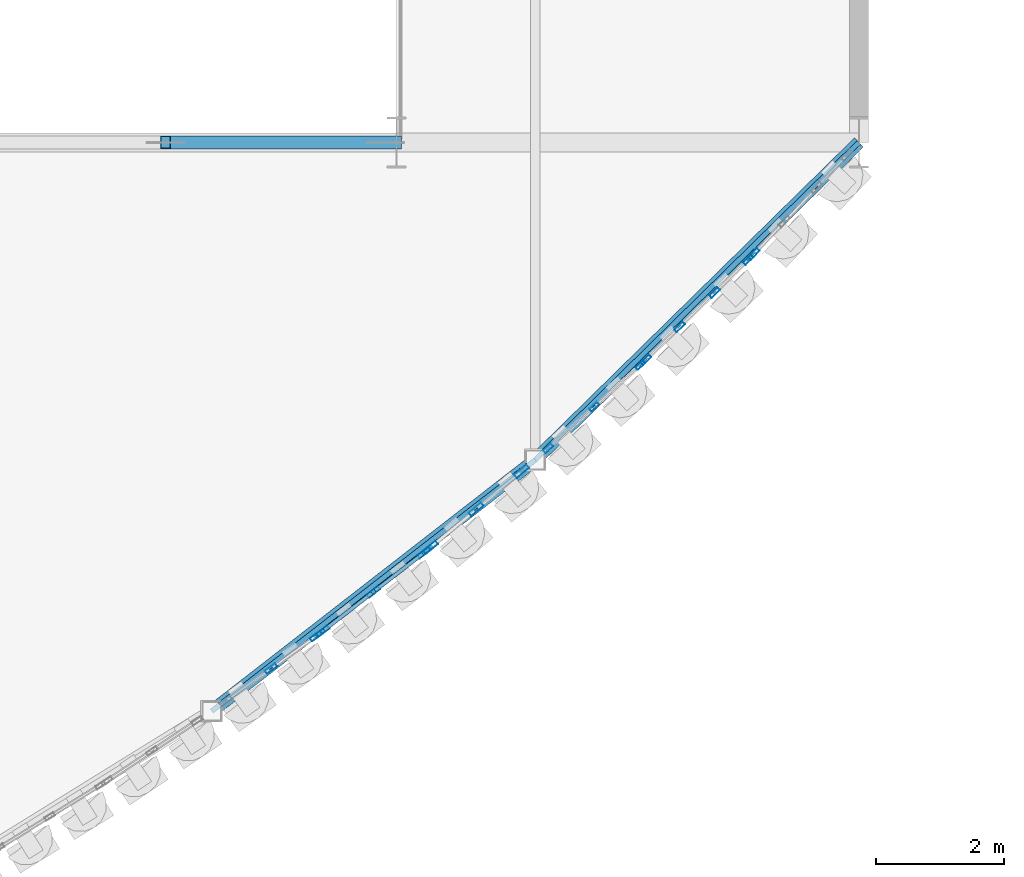
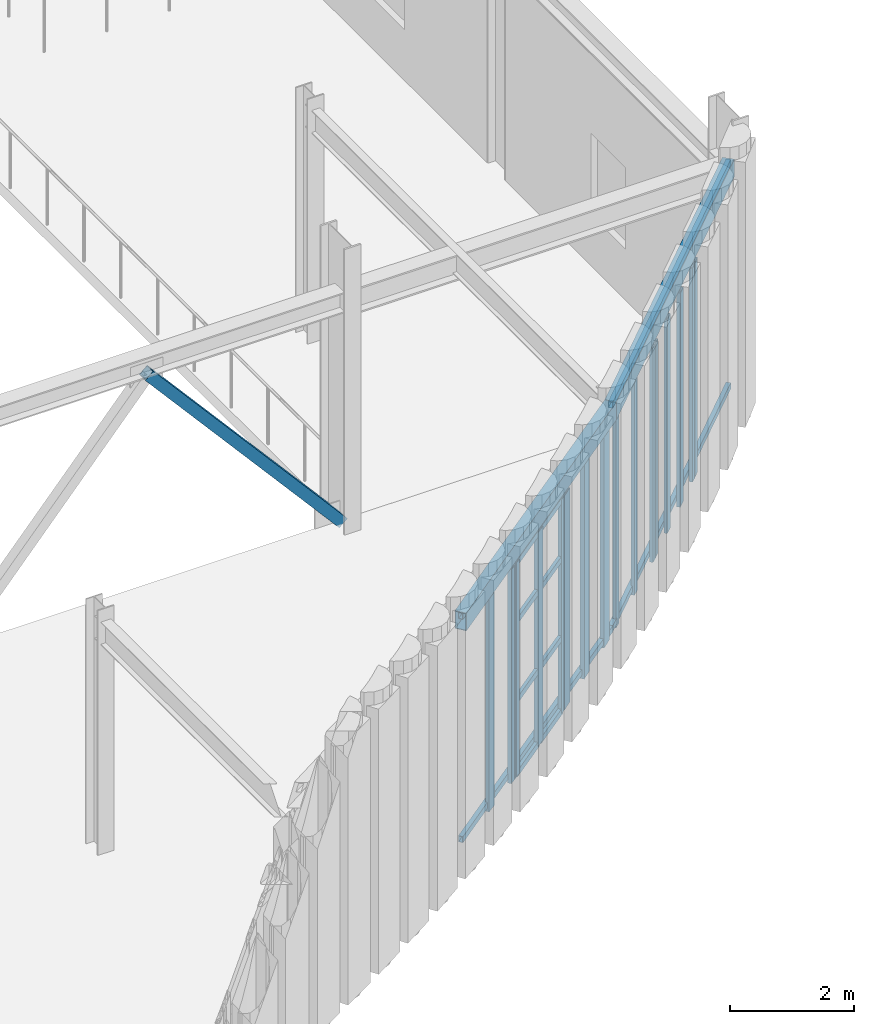
# One storey, part 59 of 126: 29 members, 2 beams, 6 elements without a shape of their own.
"""IFC4 building model written with IfcOpenShell, lengths in metres."""

from ifc_helpers import new_model, si_unit, direction, frame, origin, origin_2d, place, context, subcontext, project, spatial, hollow_rectangle, extrude, material, layer, layer_set, material_profile, profile_set, type_object, element, aggregate, save


model = new_model("IFC4")

# Units and contexts
model_context = context("Model", 3, precision=1e-05, world=origin(), true_north=direction((0.0, 1.0)))
body_context = subcontext(model_context, "Body", "Model", "MODEL_VIEW")
ifc_project = project(units=[si_unit("LENGTHUNIT", "METRE"), si_unit("AREAUNIT", "SQUARE_METRE"), si_unit("VOLUMEUNIT", "CUBIC_METRE"), si_unit("PLANEANGLEUNIT", "RADIAN"), si_unit("MASSUNIT", "GRAM", prefix="KILO")], contexts=[model_context])

# Site, building, storey
site_placement = place(None, origin())
site = spatial("IfcSite", under=ifc_project, at=site_placement, CompositionType="ELEMENT")
building_placement = place(site_placement, origin())
building = spatial("IfcBuilding", under=site, at=building_placement, Name="Solvadek Multi-Sports Hall", CompositionType="ELEMENT")
storey_placement = place(building_placement, frame((0.0, 0.0, 9.60009765625)))
storey = spatial("IfcBuildingStorey", under=building, at=storey_placement, Name="L02", CompositionType="ELEMENT", Elevation=9.60009765625)

# Curtain wall, members
ifc_material_1 = material(Name="Anodised aluminium", Category="aluminium")
ifc_layer_1 = layer(ifc_material_1, 0.159912109375, Name="Anodised aluminium")
ifc_layer_set_1 = layer_set([ifc_layer_1], Name="Anodised aluminium")
curtain_wall_type_1 = type_object("IfcCurtainWallType", Name="ENV-CW-199X420", PredefinedType="USERDEFINED", material=ifc_layer_set_1)
curtain_wall_1_placement = place(storey_placement, origin())
curtain_wall_1 = element("IfcCurtainWall", 1, at=curtain_wall_1_placement, inside=storey, type_object=curtain_wall_type_1, Name="L02 Crescent Curved Curtain Wall #110", ObjectType="CURTAIN WALL", PredefinedType="USERDEFINED")
ifc_material_profile_1 = material_profile(ifc_material_1, hollow_rectangle(XDim=0.06005859375, YDim=0.159912109375, WallThickness=0.00390625, at=origin_2d()), Name="ALU-M 160x60x4")
ifc_profile_set_1 = profile_set([ifc_material_profile_1], Name="Anodised aluminium")
member_type_1 = type_object("IfcMemberType", Name="ENV-CWM-01", PredefinedType="MULLION", material=ifc_profile_set_1)
member_1_placement = place(storey_placement, frame((131.96044921875, 1.2373046875, 0.0), z_axis=(0.0, 0.0, 1.0), x_axis=(-0.670227444536, 0.742155760329, 0.0)))
member_1 = element("IfcMember", 2, at=member_1_placement, type_object=member_type_1, Name="CW-35 mullion 1", PredefinedType="MULLION", context=body_context, shape_type="SweptSolid", body=[
    extrude(hollow_rectangle(XDim=0.06005859375, YDim=0.159912109375, WallThickness=0.00390625, at=origin_2d()), origin(), (0.0, 0.0, 1.0), 4.199951171875),
])
member_2_placement = place(storey_placement, frame((132.677978515625, 1.88525390625, 0.0), z_axis=(0.0, 0.0, 1.0), x_axis=(-0.670227444536, 0.742155760329, 0.0)))
member_2 = element("IfcMember", 3, at=member_2_placement, type_object=member_type_1, Name="CW-35 mullion 2", PredefinedType="MULLION", context=body_context, shape_type="SweptSolid", body=[
    extrude(hollow_rectangle(XDim=0.06005859375, YDim=0.159912109375, WallThickness=0.00390625, at=origin_2d()), origin(), (0.0, 0.0, 1.0), 4.199951171875),
])
member_3_placement = place(storey_placement, frame((133.3955078125, 2.533203125, 0.0), z_axis=(0.0, 0.0, 1.0), x_axis=(-0.670227444536, 0.742155760329, 0.0)))
member_3 = element("IfcMember", 4, at=member_3_placement, type_object=member_type_1, Name="CW-35 mullion 3", PredefinedType="MULLION", context=body_context, shape_type="SweptSolid", body=[
    extrude(hollow_rectangle(XDim=0.06005859375, YDim=0.159912109375, WallThickness=0.00390625, at=origin_2d()), origin(), (0.0, 0.0, 1.0), 4.199951171875),
])
aggregate(curtain_wall_1, [member_1, member_2, member_3])

ifc_layer_2 = layer(ifc_material_1, 0.159912109375, Name="Anodised aluminium")
ifc_layer_set_2 = layer_set([ifc_layer_2], Name="Anodised aluminium")
curtain_wall_type_2 = type_object("IfcCurtainWallType", Name="ENV-CW-229X420", PredefinedType="USERDEFINED", material=ifc_layer_set_2)
curtain_wall_2_placement = place(storey_placement, origin())
curtain_wall_2 = element("IfcCurtainWall", 5, at=curtain_wall_2_placement, inside=storey, type_object=curtain_wall_type_2, Name="L02 Crescent Curved Curtain Wall #112", ObjectType="CURTAIN WALL", PredefinedType="USERDEFINED")
ifc_material_profile_2 = material_profile(ifc_material_1, hollow_rectangle(XDim=0.06005859375, YDim=0.179931640625, WallThickness=0.00390625, at=origin_2d()), Name="ALU-M 180x60x4")
ifc_profile_set_2 = profile_set([ifc_material_profile_2], Name="Anodised aluminium")
member_type_2 = type_object("IfcMemberType", Name="ENV-CWM-02", PredefinedType="MULLION", material=ifc_profile_set_2)
member_4_placement = place(storey_placement, frame((133.48291015625, 2.615478515625, 0.0), z_axis=(0.0, 0.0, 1.0), x_axis=(-0.699091334366, 0.715032381235, 0.0)))
member_4 = element("IfcMember", 6, at=member_4_placement, type_object=member_type_2, Name="CW-36 mullion 1", PredefinedType="MULLION", context=body_context, shape_type="SweptSolid", body=[
    extrude(hollow_rectangle(XDim=0.06005859375, YDim=0.179931640625, WallThickness=0.00390625, at=origin_2d()), origin(), (0.0, 0.0, 1.0), 4.199951171875),
])
member_5_placement = place(storey_placement, frame((134.007080078125, 3.1279296875, 0.0), z_axis=(0.0, 0.0, 1.0), x_axis=(-0.699091334366, 0.715032381235, 0.0)))
member_5 = element("IfcMember", 7, at=member_5_placement, type_object=member_type_2, Name="CW-36 mullion 2", PredefinedType="MULLION", context=body_context, shape_type="SweptSolid", body=[
    extrude(hollow_rectangle(XDim=0.06005859375, YDim=0.179931640625, WallThickness=0.00390625, at=origin_2d()), origin(), (0.0, 0.0, 1.0), 4.199951171875),
])
member_6_placement = place(storey_placement, frame((134.552978515625, 3.66162109375, 0.0), z_axis=(0.0, 0.0, 1.0), x_axis=(-0.699091334366, 0.715032381235, 0.0)))
member_6 = element("IfcMember", 8, at=member_6_placement, type_object=member_type_2, Name="CW-36 mullion 3", PredefinedType="MULLION", context=body_context, shape_type="SweptSolid", body=[
    extrude(hollow_rectangle(XDim=0.06005859375, YDim=0.179931640625, WallThickness=0.00390625, at=origin_2d()), origin(), (0.0, 0.0, 1.0), 4.199951171875),
])
member_7_placement = place(storey_placement, frame((135.0771484375, 4.174072265625, 0.0), z_axis=(0.0, 0.0, 1.0), x_axis=(-0.699091334366, 0.715032381235, 0.0)))
member_7 = element("IfcMember", 9, at=member_7_placement, type_object=member_type_2, Name="CW-36 mullion 4", PredefinedType="MULLION", context=body_context, shape_type="SweptSolid", body=[
    extrude(hollow_rectangle(XDim=0.06005859375, YDim=0.179931640625, WallThickness=0.00390625, at=origin_2d()), origin(), (0.0, 0.0, 1.0), 4.199951171875),
])
aggregate(curtain_wall_2, [member_4, member_5, member_6, member_7])

ifc_layer_3 = layer(ifc_material_1, 0.159912109375, Name="Anodised aluminium")
ifc_layer_set_3 = layer_set([ifc_layer_3], Name="Anodised aluminium")
curtain_wall_type_3 = type_object("IfcCurtainWallType", Name="ENV-CW-180X420", PredefinedType="USERDEFINED", material=ifc_layer_set_3)
curtain_wall_3_placement = place(storey_placement, origin())
curtain_wall_3 = element("IfcCurtainWall", 10, at=curtain_wall_3_placement, inside=storey, type_object=curtain_wall_type_3, Name="L02 Crescent Curved Curtain Wall #104", ObjectType="CURTAIN WALL", PredefinedType="USERDEFINED")
ifc_material_profile_3 = material_profile(ifc_material_1, hollow_rectangle(XDim=0.06494140625, YDim=0.199951171875, WallThickness=0.0048828125, at=origin_2d()), Name="ALU-M 200x65x5")
ifc_profile_set_3 = profile_set([ifc_material_profile_3], Name="Anodised aluminium")
member_type_3 = type_object("IfcMemberType", Name="ENV-CWM-03", PredefinedType="MULLION", material=ifc_profile_set_3)
member_8_placement = place(storey_placement, frame((127.645263671875, -2.192138671875, 0.0), z_axis=(0.0, 0.0, 1.0), x_axis=(-0.583570751005, 0.812062299686, 0.0)))
member_8 = element("IfcMember", 11, at=member_8_placement, type_object=member_type_3, Name="CW-33 mullion 2", PredefinedType="MULLION", context=body_context, shape_type="SweptSolid", body=[
    extrude(hollow_rectangle(XDim=0.06494140625, YDim=0.199951171875, WallThickness=0.0048828125, at=origin_2d()), origin(), (0.0, 0.0, 1.0), 4.199951171875),
])
member_9_placement = place(storey_placement, frame((128.34912109375, -1.686279296875, 0.0), z_axis=(0.0, 0.0, 1.0), x_axis=(-0.583570751005, 0.812062299686, 0.0)))
member_9 = element("IfcMember", 12, at=member_9_placement, type_object=member_type_3, Name="CW-33 mullion 3", PredefinedType="MULLION", context=body_context, shape_type="SweptSolid", body=[
    extrude(hollow_rectangle(XDim=0.06494140625, YDim=0.199951171875, WallThickness=0.0048828125, at=origin_2d()), origin(), (0.0, 0.0, 1.0), 4.199951171875),
])
aggregate(curtain_wall_3, [member_8, member_9])

# Curtain wall, member
ifc_layer_4 = layer(ifc_material_1, 0.159912109375, Name="Anodised aluminium")
ifc_layer_set_4 = layer_set([ifc_layer_4], Name="Anodised aluminium")
curtain_wall_type_4 = type_object("IfcCurtainWallType", Name="ENV-CW-218X420", PredefinedType="USERDEFINED", material=ifc_layer_set_4)
curtain_wall_4_placement = place(storey_placement, origin())
curtain_wall_4 = element("IfcCurtainWall", 13, at=curtain_wall_4_placement, inside=storey, type_object=curtain_wall_type_4, Name="L02 Crescent Curved Curtain Wall #114", ObjectType="CURTAIN WALL", PredefinedType="USERDEFINED")
member_10_placement = place(storey_placement, frame((135.162841796875, 4.261474609375, 0.0), z_axis=(0.0, 0.0, 1.0), x_axis=(-0.727999350669, 0.685577818651, 0.0)))
member_10 = element("IfcMember", 14, at=member_10_placement, type_object=member_type_3, Name="CW-37 mullion 1", PredefinedType="MULLION", context=body_context, shape_type="SweptSolid", body=[
    extrude(hollow_rectangle(XDim=0.06494140625, YDim=0.199951171875, WallThickness=0.0048828125, at=origin_2d()), origin(), (0.0, 0.0, 1.0), 4.199951171875),
])
aggregate(curtain_wall_4, [member_10])

# Curtain wall, members
ifc_layer_5 = layer(ifc_material_1, 0.159912109375, Name="Anodised aluminium")
ifc_layer_set_5 = layer_set([ifc_layer_5], Name="Anodised aluminium")
curtain_wall_type_5 = type_object("IfcCurtainWallType", Name="ENV-CW-207X420", PredefinedType="USERDEFINED", material=ifc_layer_set_5)
curtain_wall_5_placement = place(storey_placement, origin())
curtain_wall_5 = element("IfcCurtainWall", 15, at=curtain_wall_5_placement, inside=storey, type_object=curtain_wall_type_5, Name="L02 Crescent Curved Curtain Wall #106", ObjectType="CURTAIN WALL", PredefinedType="USERDEFINED")
ifc_material_profile_4 = material_profile(ifc_material_1, hollow_rectangle(XDim=0.06494140625, YDim=0.219970703125, WallThickness=0.0048828125, at=origin_2d()), Name="ALU-M 220x65x5")
ifc_profile_set_4 = profile_set([ifc_material_profile_4], Name="Anodised aluminium")
member_type_4 = type_object("IfcMemberType", Name="ENV-CWM-04", PredefinedType="MULLION", material=ifc_profile_set_4)
member_11_placement = place(storey_placement, frame((128.449462890625, -1.611572265625, 0.0), z_axis=(0.0, 0.0, 1.0), x_axis=(-0.612461245063, 0.79050061562, 0.0)))
member_11 = element("IfcMember", 16, at=member_11_placement, type_object=member_type_4, Name="CW-34 mullion 1", PredefinedType="MULLION", context=body_context, shape_type="SweptSolid", body=[
    extrude(hollow_rectangle(XDim=0.06494140625, YDim=0.219970703125, WallThickness=0.0048828125, at=origin_2d()), origin(), (0.0, 0.0, 1.0), 4.199951171875),
])
member_12_placement = place(storey_placement, frame((129.239990234375, -0.9990234375, 0.0), z_axis=(0.0, 0.0, 1.0), x_axis=(-0.612461245063, 0.79050061562, 0.0)))
member_12 = element("IfcMember", 17, at=member_12_placement, type_object=member_type_4, Name="CW-34 mullion 2", PredefinedType="MULLION", context=body_context, shape_type="SweptSolid", body=[
    extrude(hollow_rectangle(XDim=0.06494140625, YDim=0.219970703125, WallThickness=0.0048828125, at=origin_2d()), origin(), (0.0, 0.0, 1.0), 4.199951171875),
])
member_13_placement = place(storey_placement, frame((130.030517578125, -0.386474609375, 0.0), z_axis=(0.0, 0.0, 1.0), x_axis=(-0.612461245063, 0.79050061562, 0.0)))
member_13 = element("IfcMember", 18, at=member_13_placement, type_object=member_type_4, Name="CW-34 mullion 3", PredefinedType="MULLION", context=body_context, shape_type="SweptSolid", body=[
    extrude(hollow_rectangle(XDim=0.06494140625, YDim=0.219970703125, WallThickness=0.0048828125, at=origin_2d()), origin(), (0.0, 0.0, 1.0), 4.199951171875),
])

ifc_layer_6 = layer(ifc_material_1, 0.159912109375, Name="Anodised aluminium")
ifc_layer_set_6 = layer_set([ifc_layer_6], Name="Anodised aluminium")
curtain_wall_type_6 = type_object("IfcCurtainWallType", Name="ENV-CW-192X420", PredefinedType="USERDEFINED", material=ifc_layer_set_6)
curtain_wall_6_placement = place(storey_placement, origin())
curtain_wall_6 = element("IfcCurtainWall", 19, at=curtain_wall_6_placement, inside=storey, type_object=curtain_wall_type_6, Name="L02 Crescent Curved Curtain Wall #108", ObjectType="CURTAIN WALL", PredefinedType="USERDEFINED")
ifc_material_profile_5 = material_profile(ifc_material_1, hollow_rectangle(XDim=0.070068359375, YDim=0.25, WallThickness=0.0048828125, at=origin_2d()), Name="ALU-M 250x70x5")
ifc_profile_set_5 = profile_set([ifc_material_profile_5], Name="Anodised aluminium")
member_type_5 = type_object("IfcMemberType", Name="ENV-CWM-05", PredefinedType="MULLION", material=ifc_profile_set_5)
member_14_placement = place(storey_placement, frame((130.1298828125, -0.306396484375, 0.0), z_axis=(0.0, 0.0, 1.0), x_axis=(-0.641346751245, 0.767251161398, 0.0)))
member_14 = element("IfcMember", 20, at=member_14_placement, type_object=member_type_5, Name="CW-31 mullion 1", PredefinedType="MULLION", context=body_context, shape_type="SweptSolid", body=[
    extrude(hollow_rectangle(XDim=0.070068359375, YDim=0.25, WallThickness=0.0048828125, at=origin_2d()), origin(), (0.0, 0.0, 1.0), 4.199951171875),
])
member_15_placement = place(storey_placement, frame((130.83935546875, 0.28662109375, 0.0), z_axis=(0.0, 0.0, 1.0), x_axis=(-0.641346751245, 0.767251161398, 0.0)))
member_15 = element("IfcMember", 21, at=member_15_placement, type_object=member_type_5, Name="CW-31 mullion 2", PredefinedType="MULLION", context=body_context, shape_type="SweptSolid", body=[
    extrude(hollow_rectangle(XDim=0.070068359375, YDim=0.25, WallThickness=0.0048828125, at=origin_2d()), origin(), (0.0, 0.0, 1.0), 4.199951171875),
])
member_16_placement = place(storey_placement, frame((131.549072265625, 0.8798828125, 0.0), z_axis=(0.0, 0.0, 1.0), x_axis=(-0.641346751245, 0.767251161398, 0.0)))
member_16 = element("IfcMember", 22, at=member_16_placement, type_object=member_type_5, Name="CW-31 mullion 3", PredefinedType="MULLION", context=body_context, shape_type="SweptSolid", body=[
    extrude(hollow_rectangle(XDim=0.070068359375, YDim=0.25, WallThickness=0.0048828125, at=origin_2d()), origin(), (0.0, 0.0, 1.0), 4.199951171875),
])
aggregate(curtain_wall_6, [member_14, member_15, member_16])

# Member
ifc_material_profile_6 = material_profile(ifc_material_1, hollow_rectangle(XDim=0.06005859375, YDim=0.1201171875, WallThickness=0.00390625, at=origin_2d()), Name="ALU-T 120x60x4")
ifc_profile_set_6 = profile_set([ifc_material_profile_6], Name="Anodised aluminium")
member_type_6 = type_object("IfcMemberType", Name="ENV-CWT-01", PredefinedType="USERDEFINED", material=ifc_profile_set_6)
member_17_placement = place(storey_placement, frame((128.47509765625, -1.591552734375, 0.02978515625), z_axis=(0.790503526573, 0.612457487893, 0.0), x_axis=(-0.612457487893, 0.790503526573, 0.0)))
member_17 = element("IfcMember", 23, at=member_17_placement, type_object=member_type_6, Name="CW-34 transom 1.1", ObjectType="TRANSOM", PredefinedType="USERDEFINED", context=body_context, shape_type="SweptSolid", body=[
    extrude(hollow_rectangle(XDim=0.06005859375, YDim=0.1201171875, WallThickness=0.00390625, at=origin_2d()), origin(), (0.0, 0.0, 1.0), 0.93505859375),
])

member_18_placement = place(storey_placement, frame((128.47509765625, -1.591552734375, 1.469970703125), z_axis=(0.790503526573, 0.612457487893, 0.0), x_axis=(-0.612457487893, 0.790503526573, 0.0)))
member_18 = element("IfcMember", 24, at=member_18_placement, type_object=member_type_6, Name="CW-34 transom 1.2", ObjectType="TRANSOM", PredefinedType="USERDEFINED", context=body_context, shape_type="SweptSolid", body=[
    extrude(hollow_rectangle(XDim=0.06005859375, YDim=0.1201171875, WallThickness=0.00390625, at=origin_2d()), origin(), (0.0, 0.0, 1.0), 0.93505859375),
])

member_19_placement = place(storey_placement, frame((128.47509765625, -1.591552734375, 3.02392578125), z_axis=(0.790503526573, 0.612457487893, 0.0), x_axis=(-0.612457487893, 0.790503526573, 0.0)))
member_19 = element("IfcMember", 25, at=member_19_placement, type_object=member_type_6, Name="CW-34 transom 1.3", ObjectType="TRANSOM", PredefinedType="USERDEFINED", context=body_context, shape_type="SweptSolid", body=[
    extrude(hollow_rectangle(XDim=0.06005859375, YDim=0.1201171875, WallThickness=0.00390625, at=origin_2d()), origin(), (0.0, 0.0, 1.0), 0.93505859375),
])

member_20_placement = place(storey_placement, frame((128.47509765625, -1.591552734375, 4.169921875), z_axis=(0.790503526573, 0.612457487893, 0.0), x_axis=(-0.612457487893, 0.790503526573, 0.0)))
member_20 = element("IfcMember", 26, at=member_20_placement, type_object=member_type_6, Name="CW-34 transom 1.4", ObjectType="TRANSOM", PredefinedType="USERDEFINED", context=body_context, shape_type="SweptSolid", body=[
    extrude(hollow_rectangle(XDim=0.06005859375, YDim=0.1201171875, WallThickness=0.00390625, at=origin_2d()), origin(), (0.0, 0.0, 1.0), 0.93505859375),
])

member_21_placement = place(storey_placement, frame((129.265625, -0.97900390625, 0.02978515625), z_axis=(0.790503526573, 0.612457487893, 0.0), x_axis=(-0.612457487893, 0.790503526573, 0.0)))
member_21 = element("IfcMember", 27, at=member_21_placement, type_object=member_type_6, Name="CW-34 transom 2.1", ObjectType="TRANSOM", PredefinedType="USERDEFINED", context=body_context, shape_type="SweptSolid", body=[
    extrude(hollow_rectangle(XDim=0.06005859375, YDim=0.1201171875, WallThickness=0.00390625, at=origin_2d()), origin(), (0.0, 0.0, 1.0), 0.93505859375),
])

member_22_placement = place(storey_placement, frame((129.265625, -0.97900390625, 1.469970703125), z_axis=(0.790503526573, 0.612457487893, 0.0), x_axis=(-0.612457487893, 0.790503526573, 0.0)))
member_22 = element("IfcMember", 28, at=member_22_placement, type_object=member_type_6, Name="CW-34 transom 2.2", ObjectType="TRANSOM", PredefinedType="USERDEFINED", context=body_context, shape_type="SweptSolid", body=[
    extrude(hollow_rectangle(XDim=0.06005859375, YDim=0.1201171875, WallThickness=0.00390625, at=origin_2d()), origin(), (0.0, 0.0, 1.0), 0.93505859375),
])

member_23_placement = place(storey_placement, frame((129.265625, -0.97900390625, 3.02392578125), z_axis=(0.790503526573, 0.612457487893, 0.0), x_axis=(-0.612457487893, 0.790503526573, 0.0)))
member_23 = element("IfcMember", 29, at=member_23_placement, type_object=member_type_6, Name="CW-34 transom 2.3", ObjectType="TRANSOM", PredefinedType="USERDEFINED", context=body_context, shape_type="SweptSolid", body=[
    extrude(hollow_rectangle(XDim=0.06005859375, YDim=0.1201171875, WallThickness=0.00390625, at=origin_2d()), origin(), (0.0, 0.0, 1.0), 0.93505859375),
])

member_24_placement = place(storey_placement, frame((129.265625, -0.97900390625, 4.169921875), z_axis=(0.790503526573, 0.612457487893, 0.0), x_axis=(-0.612457487893, 0.790503526573, 0.0)))
member_24 = element("IfcMember", 30, at=member_24_placement, type_object=member_type_6, Name="CW-34 transom 2.4", ObjectType="TRANSOM", PredefinedType="USERDEFINED", context=body_context, shape_type="SweptSolid", body=[
    extrude(hollow_rectangle(XDim=0.06005859375, YDim=0.1201171875, WallThickness=0.00390625, at=origin_2d()), origin(), (0.0, 0.0, 1.0), 0.93505859375),
])

aggregate(curtain_wall_5, [member_11, member_12, member_13, member_17, member_18, member_19, member_20, member_21, member_22, member_23, member_24])

ifc_material_2 = material(Name="Steel E350 (350 MPa)", Category="steel")
ifc_material_profile_7 = material_profile(ifc_material_2, hollow_rectangle(XDim=0.199951171875, YDim=0.199951171875, WallThickness=0.010009765625, at=origin_2d()), Name="SHS 200x200x10")
ifc_profile_set_7 = profile_set([ifc_material_profile_7], Name="Steel E350 (350 MPa)")
member_type_7 = type_object("IfcMemberType", Name="STR-BRC-SHS200", PredefinedType="BRACE", material=ifc_profile_set_7)
member_25_placement = place(storey_placement, frame((129.60009765625, 6.0, 0.0), z_axis=(-0.655295898412, 0.0, 0.755372282735), x_axis=(0.0, -1.0, 0.0)))
element("IfcMember", 31, at=member_25_placement, inside=storey, type_object=member_type_7, Name="L02 Concentric Chevron Brace #38", PredefinedType="BRACE", context=body_context, shape_type="SweptSolid", body=[
    extrude(hollow_rectangle(XDim=0.199951171875, YDim=0.199951171875, WallThickness=0.010009765625, at=origin_2d()), origin(), (0.0, 0.0, 1.0), 5.493896484375),
])

# Beams
ifc_material_profile_8 = material_profile(ifc_material_2, hollow_rectangle(XDim=0.199951171875, YDim=0.35009765625, WallThickness=0.011962890625, at=origin_2d()), Name="RHS 350x200x12")
ifc_profile_set_8 = profile_set([ifc_material_profile_8], Name="Steel E350 (350 MPa)")
beam_type = type_object("IfcBeamType", Name="STR-SPN-RHS350", PredefinedType="SPANDREL", material=ifc_profile_set_8)
beam_1_placement = place(storey_placement, frame((126.719970703125, -2.857177734375, 4.40478515625), z_axis=(0.789860818002, 0.613286138915, 0.0), x_axis=(-0.613286138915, 0.789860818002, 0.0)))
element("IfcBeam", 32, at=beam_1_placement, inside=storey, type_object=beam_type, Name="L02 Curved Crescent Spandrel #75", PredefinedType="SPANDREL", context=body_context, shape_type="SweptSolid", body=[
    extrude(hollow_rectangle(XDim=0.199951171875, YDim=0.35009765625, WallThickness=0.011962890625, at=origin_2d()), origin(), (0.0, 0.0, 1.0), 6.380859375),
])
beam_2_placement = place(storey_placement, frame((131.760009765625, 1.05615234375, 4.40478515625), z_axis=(0.71388638519, 0.700261543311, 0.0), x_axis=(-0.700261543311, 0.71388638519, 0.0)))
element("IfcBeam", 33, at=beam_2_placement, inside=storey, type_object=beam_type, Name="L02 Curved Crescent Spandrel #76", PredefinedType="SPANDREL", context=body_context, shape_type="SweptSolid", body=[
    extrude(hollow_rectangle(XDim=0.199951171875, YDim=0.35009765625, WallThickness=0.011962890625, at=origin_2d()), origin(), (0.0, 0.0, 1.0), 7.06005859375),
])

# Members
ifc_material_3 = material(Name="Steel E250 (250 MPa)", Category="steel")
ifc_material_profile_9 = material_profile(ifc_material_3, hollow_rectangle(XDim=0.080078125, YDim=0.1201171875, WallThickness=0.006103515625, at=origin_2d()), Name="RHS 120x80x6")
ifc_profile_set_9 = profile_set([ifc_material_profile_9], Name="Steel E250 (250 MPa)")
member_type_8 = type_object("IfcMemberType", Name="STR-STD-RHS120", PredefinedType="STUD", material=ifc_profile_set_9)
for number, where, z_axis, x_axis, name in (
    (34, (126.719970703125, -2.857177734375, 0.119873046875), (0.789860818002, 0.613286138915, 0.0), (-0.613286138915, 0.789860818002, 0.0), "L02 Flute Subframe Rail E-9 bot"),
    (35, (126.719970703125, -2.857177734375, 4.5), (0.789860818002, 0.613286138915, 0.0), (-0.613286138915, 0.789860818002, 0.0), "L02 Flute Subframe Rail E-9 top"),
):
    element("IfcMember", number, at=place(storey_placement, frame(where, z_axis=z_axis, x_axis=x_axis)), inside=storey, type_object=member_type_8, Name=name, PredefinedType="STUD", context=body_context, shape_type="SweptSolid", body=[
        extrude(hollow_rectangle(XDim=0.080078125, YDim=0.1201171875, WallThickness=0.006103515625, at=origin_2d()), origin(), (0.0, 0.0, 1.0), 6.380859375),
    ])
for number, where, z_axis, x_axis, name in (
    (36, (131.760009765625, 1.05615234375, 0.119873046875), (0.71388638519, 0.700261543311, 0.0), (-0.700261543311, 0.71388638519, 0.0), "L02 Flute Subframe Rail E-10 bot"),
    (37, (131.760009765625, 1.05615234375, 4.5), (0.71388638519, 0.700261543311, 0.0), (-0.700261543311, 0.71388638519, 0.0), "L02 Flute Subframe Rail E-10 top"),
):
    element("IfcMember", number, at=place(storey_placement, frame(where, z_axis=z_axis, x_axis=x_axis)), inside=storey, type_object=member_type_8, Name=name, PredefinedType="STUD", context=body_context, shape_type="SweptSolid", body=[
        extrude(hollow_rectangle(XDim=0.080078125, YDim=0.1201171875, WallThickness=0.006103515625, at=origin_2d()), origin(), (0.0, 0.0, 1.0), 7.06005859375),
    ])

save(model, "model.ifc")
